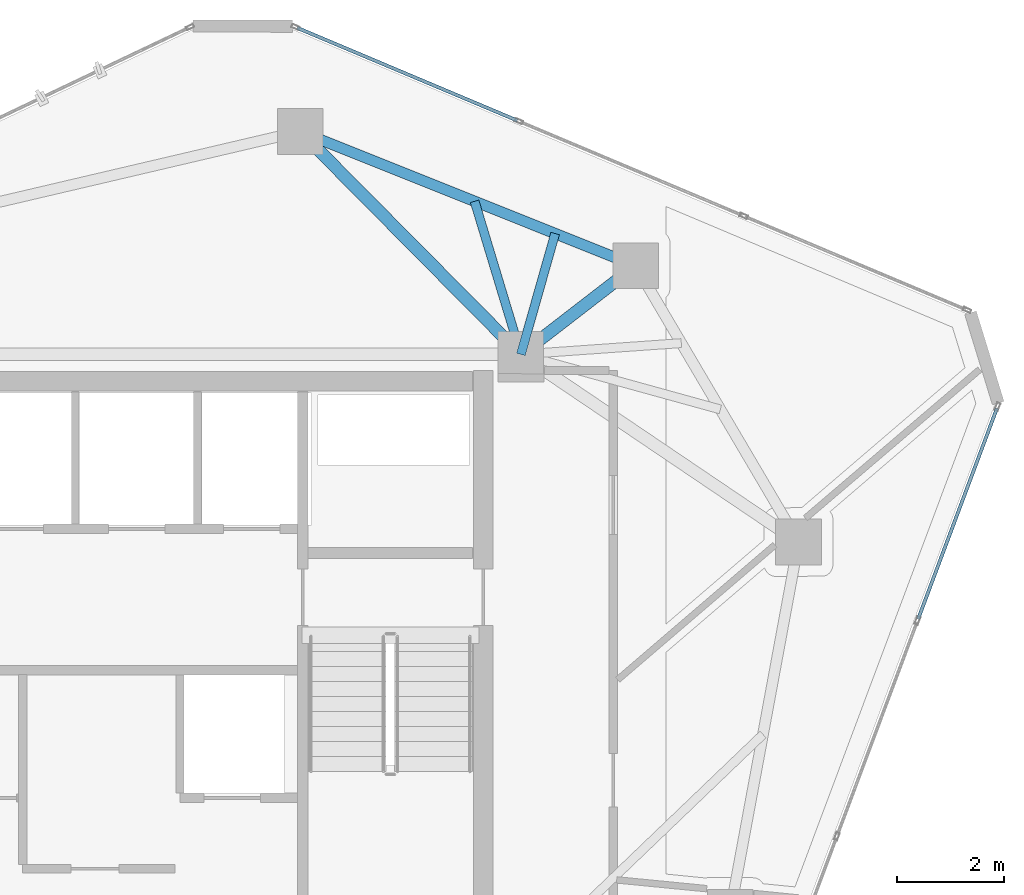
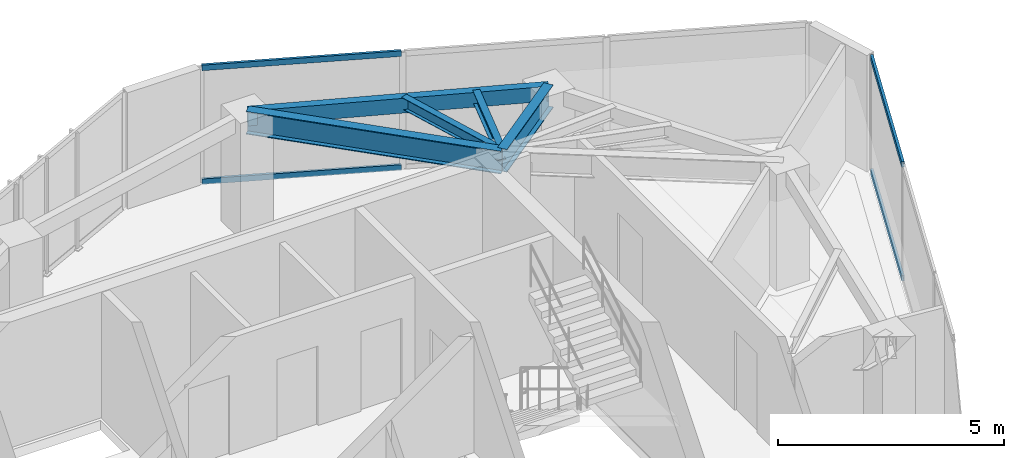
# One storey, part 13 of 20: 5 beams, 4 members, 2 elements without a shape of their own.
"""IFC4 building model written with IfcOpenShell, lengths in metres."""

import ifcopenshell
import ifcopenshell.guid

model = None  # the IFC model being written
_history = None  # IfcOwnerHistory: only IFC2X3 demands one
_inside = {}  # id of a spatial element -> (the spatial element, [elements in it])
_under = {}  # id of a project, library or spatial element -> (it, [spatial elements below it])
_declared = {}  # id of a project -> (the project, [libraries it declares])
_typed = {}  # id of a type object -> (the type object, [elements of that type])
_made_of = {}  # id of a material, layer set ... -> (it, [elements and type objects made of it])


def new_model(schema):
    """Start an empty IFC model of exactly this schema.

    Asked for "IFC4X3", IfcOpenShell would pick the latest addendum, in which some entities
    have other attributes; the version numbers below select the first issue.
    IFC2X3 requires an IfcOwnerHistory on every rooted entity: one is made here for all.
    """
    global model, _history
    if schema == "IFC4X3":
        model = ifcopenshell.file(schema_version=(4, 3, 0, 0))
    else:
        model = ifcopenshell.file(schema=schema)
    _inside.clear()
    _under.clear()
    _declared.clear()
    _typed.clear()
    _made_of.clear()
    _history = None
    if model.schema == "IFC2X3":
        org = make("IfcOrganization", Name="unknown")
        user = make(
            "IfcPersonAndOrganization",
            ThePerson=make("IfcPerson", FamilyName="unknown"),
            TheOrganization=org,
        )
        app = make(
            "IfcApplication",
            ApplicationDeveloper=org,
            Version="unknown",
            ApplicationFullName="unknown",
            ApplicationIdentifier="unknown",
        )
        _history = make(
            "IfcOwnerHistory",
            OwningUser=user,
            OwningApplication=app,
            ChangeAction="ADDED",
            CreationDate=0,
        )
    return model


def make(cls, **values):
    """One entity of the class cls with the attributes given. An attribute that is None is left unset."""
    return model.create_entity(
        cls, **{name: value for name, value in values.items() if value is not None}
    )


def rooted(cls, **values):
    """An entity with a GlobalId (a new one), such as an element, a storey or a relation."""
    return make(cls, GlobalId=ifcopenshell.guid.new(), OwnerHistory=_history, **values)


def si_unit(unit_type, name, prefix=None):
    """IfcSIUnit, for example si_unit("LENGTHUNIT", "METRE", prefix="MILLI")."""
    return make("IfcSIUnit", UnitType=unit_type, Prefix=prefix, Name=name)


def assignment(units):
    """IfcUnitAssignment: the units of a project."""
    return None if units is None else make("IfcUnitAssignment", Units=units)


def point(xyz):
    """IfcCartesianPoint."""
    return None if xyz is None else make("IfcCartesianPoint", Coordinates=xyz)


def direction(xyz):
    """IfcDirection."""
    return None if xyz is None else make("IfcDirection", DirectionRatios=xyz)


def frame(location, z_axis=None, x_axis=None):
    """IfcAxis2Placement3D, a coordinate frame: its origin and axes. An axis left out is left unset."""
    return make(
        "IfcAxis2Placement3D",
        Location=point(location),
        Axis=direction(z_axis),
        RefDirection=direction(x_axis),
    )


def frame_2d(location, x_axis=None):
    """IfcAxis2Placement2D, a coordinate frame in the plane: its origin and x axis."""
    return make(
        "IfcAxis2Placement2D", Location=point(location), RefDirection=direction(x_axis)
    )


def origin():
    """The frame at (0, 0, 0) with its axes left unset."""
    return frame((0.0, 0.0, 0.0))


def origin_2d():
    """The frame at (0, 0) in the plane with its x axis left unset."""
    return frame_2d((0.0, 0.0))


def place(relative_to, where):
    """IfcLocalPlacement: puts the frame where relative to a parent placement (None: the world)."""
    return make(
        "IfcLocalPlacement", PlacementRelTo=relative_to, RelativePlacement=where
    )


def context(
    kind, dimensions, precision=None, world=None, true_north=None, identifier=None
):
    """IfcGeometricRepresentationContext, for example the 3D "Model" context."""
    return make(
        "IfcGeometricRepresentationContext",
        ContextIdentifier=identifier,
        ContextType=kind,
        CoordinateSpaceDimension=dimensions,
        Precision=precision,
        WorldCoordinateSystem=world,
        TrueNorth=true_north,
    )


def subcontext(parent, identifier, kind, view, scale=None):
    """IfcGeometricRepresentationSubContext, for example "Body" below "Model"."""
    return make(
        "IfcGeometricRepresentationSubContext",
        ContextIdentifier=identifier,
        ContextType=kind,
        ParentContext=parent,
        TargetScale=scale,
        TargetView=view,
    )


def project(units=None, contexts=None):
    """IfcProject with its units and contexts."""
    return rooted(
        "IfcProject",
        Name="project",
        RepresentationContexts=contexts,
        UnitsInContext=assignment(units),
    )


def spatial(cls, under=None, at=None, **own):
    """A site, building, storey or space (cls), placed at a placement, below another one or the project."""
    s = rooted(cls, ObjectPlacement=at, **own)
    if under is not None:
        _under.setdefault(under.id(), (under, []))[1].append(s)
    return s


def profile(cls, at=None, kind="AREA", **sizes):
    """A parametric profile (cls). Its sizes go by their IFC names, for example OverallWidth=200.0."""
    return make(cls, ProfileType=kind, Position=at, **sizes)


def hollow_rectangle(**sizes):
    """IfcRectangleHollowProfileDef."""
    return profile("IfcRectangleHollowProfileDef", **sizes)


def i_section(**sizes):
    """IfcIShapeProfileDef."""
    return profile("IfcIShapeProfileDef", **sizes)


def extrude(swept, where, along, depth):
    """IfcExtrudedAreaSolid: the profile swept, set in the frame where, extruded along a direction by depth."""
    return make(
        "IfcExtrudedAreaSolid",
        SweptArea=swept,
        Position=where,
        ExtrudedDirection=direction(along),
        Depth=depth,
    )


def shape(context_of_items, identifier, shape_type, items):
    """IfcShapeRepresentation: the items that make up one representation, for example the "Body"."""
    return make(
        "IfcShapeRepresentation",
        ContextOfItems=context_of_items,
        RepresentationIdentifier=identifier,
        RepresentationType=shape_type,
        Items=items,
    )


def source(mapping_origin, context_of_items, identifier, shape_type, items):
    """IfcRepresentationMap: a shape defined once, which mapped items show again and again."""
    return make(
        "IfcRepresentationMap",
        MappingOrigin=mapping_origin,
        MappedRepresentation=shape(context_of_items, identifier, shape_type, items),
    )


def transform(
    local_origin,
    x_axis=None,
    y_axis=None,
    z_axis=None,
    scale=None,
    scale2=None,
    scale3=None,
    uniform=True,
):
    """IfcCartesianTransformationOperator3D, or its non-uniform kind. x_axis, y_axis, z_axis: its Axis1, 2, 3."""
    if uniform:
        return make(
            "IfcCartesianTransformationOperator3D",
            Axis1=direction(x_axis),
            Axis2=direction(y_axis),
            LocalOrigin=point(local_origin),
            Scale=scale,
            Axis3=direction(z_axis),
        )
    return make(
        "IfcCartesianTransformationOperator3DnonUniform",
        Axis1=direction(x_axis),
        Axis2=direction(y_axis),
        LocalOrigin=point(local_origin),
        Scale=scale,
        Axis3=direction(z_axis),
        Scale2=scale2,
        Scale3=scale3,
    )


def mapped(mapping_source, mapping_target):
    """IfcMappedItem: shows the shape of a source again, moved by a transform."""
    return make(
        "IfcMappedItem", MappingSource=mapping_source, MappingTarget=mapping_target
    )


def material(Name=None, Category=None):
    """IfcMaterial."""
    return make("IfcMaterial", Name=Name, Category=Category)


def layer(
    of_material, thickness, ventilated=None, Name=None, Category=None, Priority=None
):
    """IfcMaterialLayer: one layer of a wall or slab, of a material (None: an air gap)."""
    return make(
        "IfcMaterialLayer",
        Material=of_material,
        LayerThickness=thickness,
        IsVentilated=ventilated,
        Name=Name,
        Category=Category,
        Priority=Priority,
    )


def layer_set(layers, Name=None):
    """IfcMaterialLayerSet."""
    return make("IfcMaterialLayerSet", MaterialLayers=layers, LayerSetName=Name)


def material_profile(
    of_material, cross_section, Name=None, Category=None, Priority=None
):
    """IfcMaterialProfile: a cross section and its material."""
    return make(
        "IfcMaterialProfile",
        Name=Name,
        Material=of_material,
        Profile=cross_section,
        Priority=Priority,
        Category=Category,
    )


def profile_set(profiles, Name=None, composite=None):
    """IfcMaterialProfileSet."""
    return make(
        "IfcMaterialProfileSet",
        Name=Name,
        MaterialProfiles=profiles,
        CompositeProfile=composite,
    )


def made_of(thing, what):
    """Note that an element or type object is made of a material, layer set ...; save() writes the relation."""
    if what is not None:
        _made_of.setdefault(what.id(), (what, []))[1].append(thing)
    return thing


def type_object(cls, material=None, **own):
    """A type object (cls), such as IfcWallType, which elements share."""
    return made_of(rooted(cls, **own), material)


def type_shapes(of_type, sources):
    """Give a type object the sources (RepresentationMaps) that its elements show as mapped items."""
    of_type.RepresentationMaps = sources


def element(
    cls,
    number,
    at=None,
    inside=None,
    cuts=None,
    type_object=None,
    material=None,
    context=None,
    identifier="Body",
    shape_type=None,
    held_by="IfcProductDefinitionShape",
    body=None,
    shapes=None,
    **own,
):
    """One element of the class cls, such as IfcWall. Its Tag is "e" and its number.

    at: its placement. inside: the storey or other place that contains it. cuts: it is an
    opening in that element (IfcRelVoidsElement). A single representation is given by context,
    identifier, shape_type and body (its items); several are given by shapes. held_by: the class
    of the entity that holds the representations. save() writes the other relations.
    """
    e = rooted(cls, Tag="e%d" % number, ObjectPlacement=at, **own)
    if body is not None:
        shapes = [shape(context, identifier, shape_type, body)]
    if shapes is not None:
        e.Representation = make(held_by, Representations=shapes)
    if inside is not None:
        _inside.setdefault(inside.id(), (inside, []))[1].append(e)
    if cuts is not None:
        rooted(
            "IfcRelVoidsElement", RelatingBuildingElement=cuts, RelatedOpeningElement=e
        )
    if type_object is not None:
        _typed.setdefault(type_object.id(), (type_object, []))[1].append(e)
    return made_of(e, material)


def aggregate(whole, parts):
    """IfcRelAggregates: a whole, such as a stair, and the parts it consists of."""
    return rooted("IfcRelAggregates", RelatingObject=whole, RelatedObjects=parts)


def save(model, path):
    """Write the relations noted so far, then the file.

    IfcRelAggregates (storeys below a building ...), IfcRelContainedInSpatialStructure (elements
    in a storey), IfcRelDefinesByType, IfcRelAssociatesMaterial and IfcRelDeclares: one each for
    every whole, place, type object, material and project.
    """
    for whole, parts in _under.values():
        aggregate(whole, parts)
    for where, things in _inside.values():
        rooted(
            "IfcRelContainedInSpatialStructure",
            RelatedElements=things,
            RelatingStructure=where,
        )
    for kind, things in _typed.values():
        rooted("IfcRelDefinesByType", RelatedObjects=things, RelatingType=kind)
    for what, things in _made_of.values():
        rooted("IfcRelAssociatesMaterial", RelatedObjects=things, RelatingMaterial=what)
    for by, libraries in _declared.values():
        rooted("IfcRelDeclares", RelatingContext=by, RelatedDefinitions=libraries)
    model.write(path)


model = new_model("IFC4")

# Units and contexts
model_context = context("Model", 3, precision=1e-05, world=origin(), true_north=direction((0.0, 1.0)))
body_context = subcontext(model_context, "Body", "Model", "MODEL_VIEW")
ifc_project = project(units=[si_unit("LENGTHUNIT", "METRE"), si_unit("AREAUNIT", "SQUARE_METRE"), si_unit("VOLUMEUNIT", "CUBIC_METRE"), si_unit("PLANEANGLEUNIT", "RADIAN"), si_unit("MASSUNIT", "GRAM", prefix="KILO")], contexts=[model_context])

# Site, building, storey
site_placement = place(None, origin())
site = spatial("IfcSite", under=ifc_project, at=site_placement, CompositionType="ELEMENT")
building_placement = place(site_placement, origin())
building = spatial("IfcBuilding", under=site, at=building_placement, Name="Talar Marvaseh", CompositionType="ELEMENT")
storey_placement = place(building_placement, frame((0.0, 0.0, 268.0)))
storey = spatial("IfcBuildingStorey", under=building, at=storey_placement, Name="L71", CompositionType="ELEMENT", Elevation=268.0)

# Beams
ifc_material_1 = material(Name="Steel S355", Category="steel")
ifc_material_profile_1 = material_profile(ifc_material_1, hollow_rectangle(XDim=0.199951171875, YDim=0.39990234375, WallThickness=0.013916015625, at=origin_2d()), Name="RHS400x200x14")
ifc_profile_set_1 = profile_set([ifc_material_profile_1], Name="Steel S355")
beam_type_1 = type_object("IfcBeamType", Name="Zone 3 Perimeter Spandrel Beam RHS400x200x14", PredefinedType="SPANDREL", material=ifc_profile_set_1)
beam_1_placement = place(storey_placement, frame((29.18798828125, 41.052001953125, 2.93994140625), z_axis=(0.928426659475, -0.371515730456, 0.0), x_axis=(0.371515730456, 0.928426659475, 0.0)))
element("IfcBeam", 1, at=beam_1_placement, inside=storey, type_object=beam_type_1, Name="L71 Zone 3 Perimeter Spandrel Beam RHS400x200x14", PredefinedType="SPANDREL", context=body_context, shape_type="SweptSolid", body=[
    extrude(hollow_rectangle(XDim=0.199951171875, YDim=0.39990234375, WallThickness=0.013916015625, at=origin_2d()), origin(), (0.0, 0.0, 1.0), 6.73193359375),
])
ifc_material_profile_2 = material_profile(ifc_material_1, i_section(OverallWidth=0.166015625, OverallDepth=0.31298828125, WebThickness=0.006591796875, FlangeThickness=0.01123046875, at=origin_2d()), Name="W310x45")
ifc_profile_set_2 = profile_set([ifc_material_profile_2], Name="Steel S355")
beam_type_2 = type_object("IfcBeamType", Name="Zone 3 Secondary Floor Joist W310x45", PredefinedType="JOIST", material=ifc_profile_set_2)
beam_2_placement = place(storey_placement, frame((32.43798828125, 39.75146484375, 2.9833984375), z_axis=(0.289377277289, -0.957215122837, 0.0), x_axis=(0.957215122837, 0.289377277289, 0.0)))
element("IfcBeam", 2, at=beam_2_placement, inside=storey, type_object=beam_type_2, Name="L71 Zone 3 Secondary Floor Joist W310x45", PredefinedType="JOIST", context=body_context, shape_type="SweptSolid", body=[
    extrude(i_section(OverallWidth=0.166015625, OverallDepth=0.31298828125, WebThickness=0.006591796875, FlangeThickness=0.01123046875, at=origin_2d()), origin(), (0.0, 0.0, 1.0), 2.97900390625),
])
beam_3_placement = place(storey_placement, frame((33.93798828125, 39.151123046875, 2.9833984375), z_axis=(-0.272639596879, -0.962116235293, 0.0), x_axis=(0.962116235293, -0.272639596879, 0.0)))
element("IfcBeam", 3, at=beam_3_placement, inside=storey, type_object=beam_type_2, Name="L71 Zone 3 Secondary Floor Joist W310x45", PredefinedType="JOIST", context=body_context, shape_type="SweptSolid", body=[
    extrude(i_section(OverallWidth=0.166015625, OverallDepth=0.31298828125, WebThickness=0.006591796875, FlangeThickness=0.01123046875, at=origin_2d()), origin(), (0.0, 0.0, 1.0), 2.33984375),
])
ifc_material_profile_3 = material_profile(ifc_material_1, i_section(OverallWidth=0.22998046875, OverallDepth=0.616943359375, WebThickness=0.01318359375, FlangeThickness=0.022216796875, at=origin_2d()), Name="W610x140")
ifc_profile_set_3 = profile_set([ifc_material_profile_3], Name="Steel S355")
beam_type_3 = type_object("IfcBeamType", Name="Zone 4 Radial Floor Girder W610x140", PredefinedType="BEAM", material=ifc_profile_set_3)
beam_4_placement = place(storey_placement, frame((29.18798828125, 41.052001953125, 2.83154296875), z_axis=(0.703672658083, -0.710524306598, 0.0), x_axis=(0.710524306598, 0.703672658083, 0.0)))
element("IfcBeam", 4, at=beam_4_placement, inside=storey, type_object=beam_type_3, Name="L71 Zone 4 Radial Floor Girder W610x140", PredefinedType="BEAM", context=body_context, shape_type="SweptSolid", body=[
    extrude(i_section(OverallWidth=0.22998046875, OverallDepth=0.616943359375, WebThickness=0.01318359375, FlangeThickness=0.022216796875, at=origin_2d()), origin(), (0.0, 0.0, 1.0), 5.84375),
])
beam_5_placement = place(storey_placement, frame((35.43798828125, 38.551025390625, 2.83154296875), z_axis=(-0.791449946636, -0.611233982996, 0.0), x_axis=(0.611233982996, -0.791449946636, 0.0)))
element("IfcBeam", 5, at=beam_5_placement, inside=storey, type_object=beam_type_3, Name="L71 Zone 4 Radial Floor Girder W610x140", PredefinedType="BEAM", context=body_context, shape_type="SweptSolid", body=[
    extrude(i_section(OverallWidth=0.22998046875, OverallDepth=0.616943359375, WebThickness=0.01318359375, FlangeThickness=0.022216796875, at=origin_2d()), origin(), (0.0, 0.0, 1.0), 2.701416015625),
])

# Curtain wall, members
ifc_material_2 = material(Name="Architectural Aluminium", Category="aluminium")
ifc_layer = layer(ifc_material_2, 0.179931640625)
ifc_layer_set = layer_set([ifc_layer], Name="Architectural Aluminium")
curtain_wall_type = type_object("IfcCurtainWallType", Name="Unitised High-Wind Sky Curtain Wall Z4", PredefinedType="NOTDEFINED", material=ifc_layer_set)
curtain_wall_1_placement = place(storey_placement, origin())
curtain_wall_1 = element("IfcCurtainWall", 6, at=curtain_wall_1_placement, inside=storey, type_object=curtain_wall_type, Name="L71 Unitised High-Wind Sky Curtain Wall Z4", PredefinedType="NOTDEFINED")
ifc_material_profile_4 = material_profile(ifc_material_2, hollow_rectangle(XDim=0.06494140625, YDim=0.14990234375, WallThickness=0.00390625, at=origin_2d()), Name="RHS150x65x4")
ifc_profile_set_4 = profile_set([ifc_material_profile_4], Name="Architectural Aluminium")
member_type = type_object("IfcMemberType", Name="Unitised Curtain Wall Slim Transom RHS150x65x4", PredefinedType="USERDEFINED", material=ifc_profile_set_4)
shared_shape_1 = source(origin(), body_context, "Body", "SweptSolid", [
    extrude(hollow_rectangle(XDim=0.06494140625, YDim=0.14990234375, WallThickness=0.00390625, at=origin_2d()), origin(), (0.0, 0.0, 1.0), 4.447265625),
])
member_1_placement = place(storey_placement, frame((29.13427734375, 42.9814453125, 0.032470703125), z_axis=(0.921560956212, -0.388233697643, 0.0), x_axis=(0.388233697643, 0.921560956212, 0.0)))
member_1 = element("IfcMember", 7, at=member_1_placement, type_object=member_type, Name="CW-Z4 transom 1.1", ObjectType="TRANSOM", PredefinedType="USERDEFINED", context=body_context, shape_type="MappedRepresentation", body=[
    mapped(shared_shape_1, transform((0.0, 0.0, 0.0), x_axis=(1.0, 0.0, 0.0), y_axis=(0.0, 1.0, 0.0), z_axis=(0.0, 0.0, 1.0), scale=1.0)),
])
member_2_placement = place(storey_placement, frame((29.13427734375, 42.9814453125, 3.107421875), z_axis=(0.921560956212, -0.388233697643, 0.0), x_axis=(0.388233697643, 0.921560956212, 0.0)))
member_2 = element("IfcMember", 8, at=member_2_placement, type_object=member_type, Name="CW-Z4 transom 1.2", ObjectType="TRANSOM", PredefinedType="USERDEFINED", context=body_context, shape_type="MappedRepresentation", body=[
    mapped(shared_shape_1, transform((0.0, 0.0, 0.0), x_axis=(1.0, 0.0, 0.0), y_axis=(0.0, 1.0, 0.0), z_axis=(0.0, 0.0, 1.0), scale=1.0)),
])
aggregate(curtain_wall_1, [member_1, member_2])

curtain_wall_2_placement = place(storey_placement, origin())
curtain_wall_2 = element("IfcCurtainWall", 9, at=curtain_wall_2_placement, inside=storey, type_object=curtain_wall_type, Name="L71 Unitised High-Wind Sky Curtain Wall Z4", PredefinedType="NOTDEFINED")
shared_shape_2 = source(origin(), body_context, "Body", "SweptSolid", [
    extrude(hollow_rectangle(XDim=0.06494140625, YDim=0.14990234375, WallThickness=0.00390625, at=origin_2d()), origin(), (0.0, 0.0, 1.0), 4.188720703125),
])
type_shapes(member_type, [shared_shape_1, shared_shape_2])
member_3_placement = place(storey_placement, frame((42.16552734375, 35.895263671875, 0.032470703125), z_axis=(-0.350344073233, -0.936621070845, 0.0), x_axis=(0.936621070845, -0.350344073233, 0.0)))
member_3 = element("IfcMember", 10, at=member_3_placement, type_object=member_type, Name="CW-Z4 transom 1.1", ObjectType="TRANSOM", PredefinedType="USERDEFINED", context=body_context, shape_type="MappedRepresentation", body=[
    mapped(shared_shape_2, transform((0.0, 0.0, 0.0), x_axis=(1.0, 0.0, 0.0), y_axis=(0.0, 1.0, 0.0), z_axis=(0.0, 0.0, 1.0), scale=1.0)),
])
member_4_placement = place(storey_placement, frame((42.16552734375, 35.895263671875, 3.107421875), z_axis=(-0.350344073233, -0.936621070845, 0.0), x_axis=(0.936621070845, -0.350344073233, 0.0)))
member_4 = element("IfcMember", 11, at=member_4_placement, type_object=member_type, Name="CW-Z4 transom 1.2", ObjectType="TRANSOM", PredefinedType="USERDEFINED", context=body_context, shape_type="MappedRepresentation", body=[
    mapped(shared_shape_2, transform((0.0, 0.0, 0.0), x_axis=(1.0, 0.0, 0.0), y_axis=(0.0, 1.0, 0.0), z_axis=(0.0, 0.0, 1.0), scale=1.0)),
])
aggregate(curtain_wall_2, [member_3, member_4])

save(model, "model.ifc")
